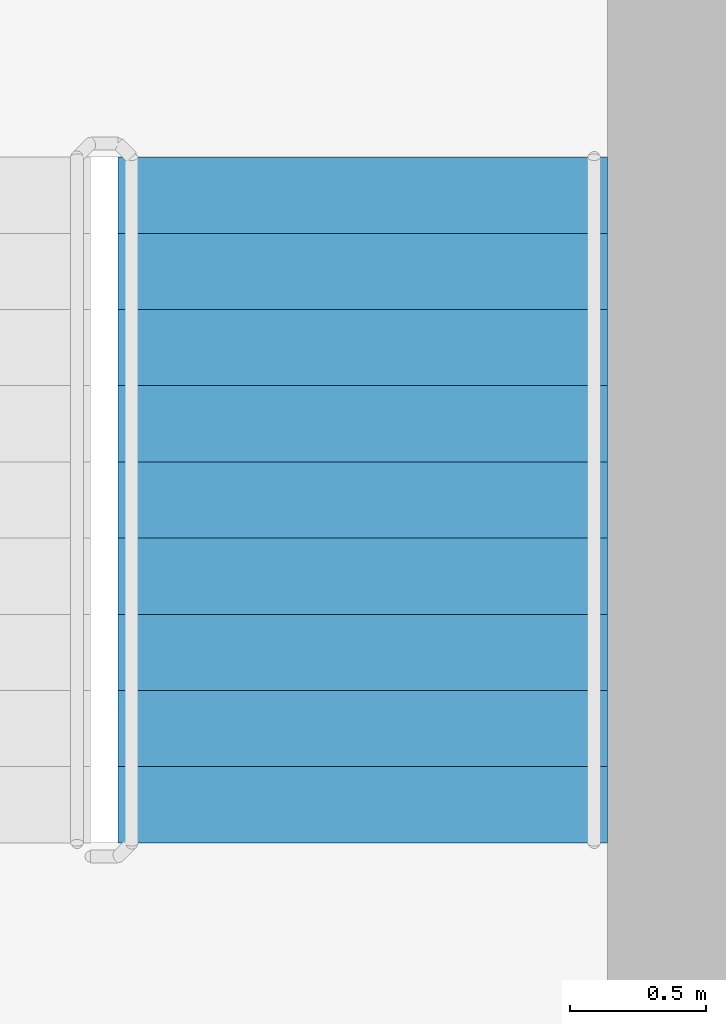
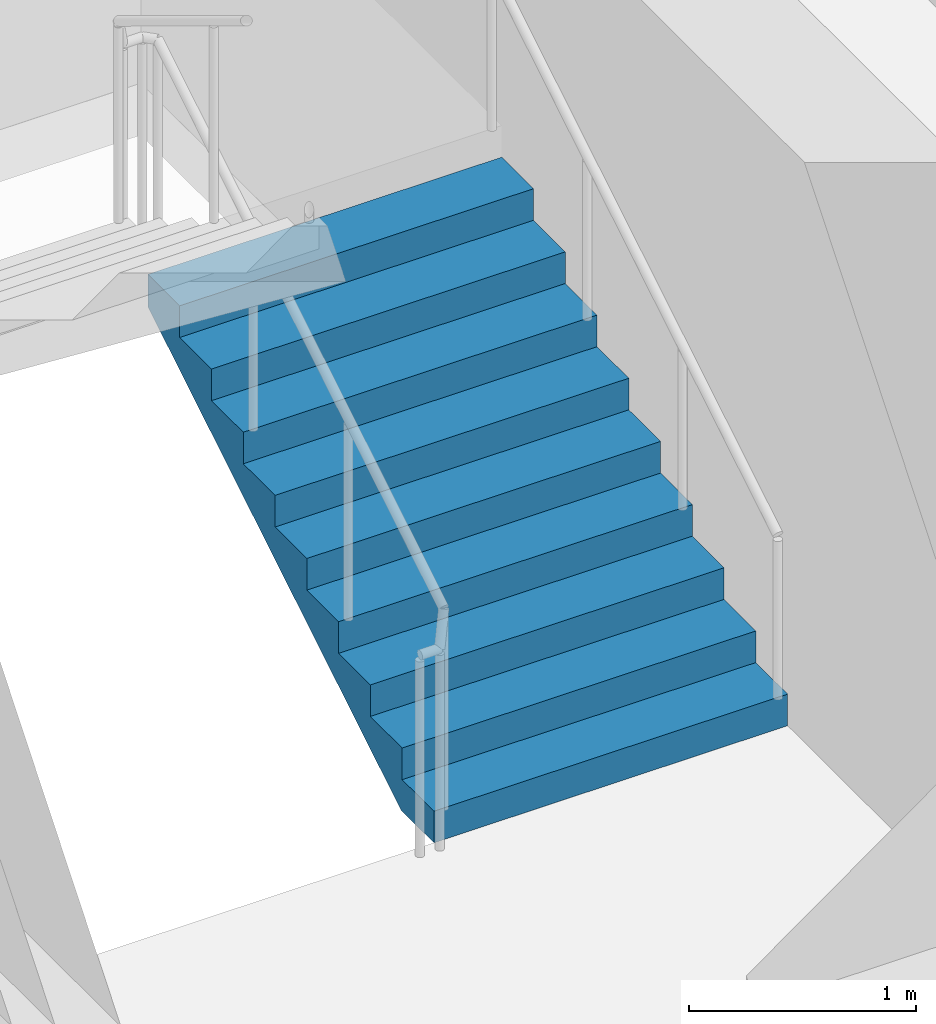
# One storey, part 11 of 18: 1 stair flight, 1 element without a shape of its own.
"""IFC4 building model written with IfcOpenShell, lengths in metres."""

from ifc_helpers import new_model, si_unit, direction, frame, origin, place, context, subcontext, project, spatial, triangles, source, transform, mapped, material, type_object, element, aggregate, save


model = new_model("IFC4")

# Units and contexts
model_context = context("Model", 3, precision=1e-05, world=origin(), true_north=direction((0.0, 1.0)))
body_context = subcontext(model_context, "Body", "Model", "MODEL_VIEW")
ifc_project = project(units=[si_unit("LENGTHUNIT", "METRE"), si_unit("AREAUNIT", "SQUARE_METRE"), si_unit("VOLUMEUNIT", "CUBIC_METRE"), si_unit("PLANEANGLEUNIT", "RADIAN"), si_unit("MASSUNIT", "GRAM", prefix="KILO")], contexts=[model_context])

# Site, building, storey
site_placement = place(None, origin())
site = spatial("IfcSite", under=ifc_project, at=site_placement, CompositionType="ELEMENT")
building_placement = place(site_placement, origin())
building = spatial("IfcBuilding", under=site, at=building_placement, Name="Kilnfold Tower and Market Hall", CompositionType="ELEMENT")
storey_placement = place(building_placement, frame((0.0, 0.0, 280.60009765625)))
storey = spatial("IfcBuildingStorey", under=building, at=storey_placement, Name="L69", CompositionType="ELEMENT", Elevation=280.60009765625)

# Stair, stair flight
ifc_material_1 = material(Name="Concrete C40/50", Category="concrete")
stair_type = type_object("IfcStairType", Name="CORE STAIR 1800", PredefinedType="HALF_TURN_STAIR", material=ifc_material_1)
stair_placement = place(storey_placement, origin())
stair = element("IfcStair", 1, at=stair_placement, inside=storey, type_object=stair_type, Name="L69 ST2", PredefinedType="HALF_TURN_STAIR")
ifc_material_2 = material(Name="Concrete C40/50", Category="concrete")
stair_flight_type = type_object("IfcStairFlightType", Name="CORE STAIR FLIGHT 1800", PredefinedType="STRAIGHT", material=ifc_material_2)
shared_shape = source(origin(), body_context, "Body", "Tessellation", [
    triangles([(0.0, 0.89990234375, 0.0), (0.0, 0.78759765625, 0.0), (0.0, 0.675048828125, 0.0), (0.0, 0.5625, 0.0), (0.0, 0.449951171875, 0.0), (0.0, 0.33740234375, 0.0), (0.0, 0.22509765625, 0.0), (0.0, 0.112548828125, 0.0), (0.0, 0.0, 0.0), (0.0, -0.112548828125, 0.0), (0.0, -0.22509765625, 0.0), (0.0, -0.33740234375, 0.0), (0.0, -0.449951171875, 0.0), (0.0, -0.5625, 0.0), (0.0, -0.675048828125, 0.0), (0.0, -0.78759765625, 0.0), (0.0, -0.89990234375, 0.0), (0.0, 0.89990234375, 0.169921875), (0.0, 0.78759765625, 0.169921875), (0.0, 0.675048828125, 0.169921875), (0.0, 0.5625, 0.169921875), (0.0, 0.449951171875, 0.169921875), (0.0, 0.33740234375, 0.169921875), (0.0, 0.22509765625, 0.169921875), (0.0, 0.112548828125, 0.169921875), (0.0, 0.0, 0.169921875), (0.0, -0.112548828125, 0.169921875), (0.0, -0.22509765625, 0.169921875), (0.0, -0.33740234375, 0.169921875), (0.0, -0.449951171875, 0.169921875), (0.0, -0.5625, 0.169921875), (0.0, -0.675048828125, 0.169921875), (0.0, -0.78759765625, 0.169921875), (0.0, -0.89990234375, 0.169921875), (0.280029296875, 0.89990234375, 0.169921875), (0.280029296875, 0.78759765625, 0.169921875), (0.280029296875, 0.675048828125, 0.169921875), (0.280029296875, 0.5625, 0.169921875), (0.280029296875, 0.449951171875, 0.169921875), (0.280029296875, 0.33740234375, 0.169921875), (0.280029296875, 0.22509765625, 0.169921875), (0.280029296875, 0.112548828125, 0.169921875), (0.280029296875, 0.0, 0.169921875), (0.280029296875, -0.112548828125, 0.169921875), (0.280029296875, -0.22509765625, 0.169921875), (0.280029296875, -0.33740234375, 0.169921875), (0.280029296875, -0.449951171875, 0.169921875), (0.280029296875, -0.5625, 0.169921875), (0.280029296875, -0.675048828125, 0.169921875), (0.280029296875, -0.78759765625, 0.169921875), (0.280029296875, -0.89990234375, 0.169921875), (0.280029296875, 0.89990234375, 0.340087890625), (0.280029296875, 0.78759765625, 0.340087890625), (0.280029296875, 0.675048828125, 0.340087890625), (0.280029296875, 0.5625, 0.340087890625), (0.280029296875, 0.449951171875, 0.340087890625), (0.280029296875, 0.33740234375, 0.340087890625), (0.280029296875, 0.22509765625, 0.340087890625), (0.280029296875, 0.112548828125, 0.340087890625), (0.280029296875, 0.0, 0.340087890625), (0.280029296875, -0.112548828125, 0.340087890625), (0.280029296875, -0.22509765625, 0.340087890625), (0.280029296875, -0.33740234375, 0.340087890625), (0.280029296875, -0.449951171875, 0.340087890625), (0.280029296875, -0.5625, 0.340087890625), (0.280029296875, -0.675048828125, 0.340087890625), (0.280029296875, -0.78759765625, 0.340087890625), (0.280029296875, -0.89990234375, 0.340087890625), (0.56005859375, 0.89990234375, 0.340087890625), (0.56005859375, 0.78759765625, 0.340087890625), (0.56005859375, 0.675048828125, 0.340087890625), (0.56005859375, 0.5625, 0.340087890625), (0.56005859375, 0.449951171875, 0.340087890625), (0.56005859375, 0.33740234375, 0.340087890625), (0.56005859375, 0.22509765625, 0.340087890625), (0.56005859375, 0.112548828125, 0.340087890625), (0.56005859375, 0.0, 0.340087890625), (0.56005859375, -0.112548828125, 0.340087890625), (0.56005859375, -0.22509765625, 0.340087890625), (0.56005859375, -0.33740234375, 0.340087890625), (0.56005859375, -0.449951171875, 0.340087890625), (0.56005859375, -0.5625, 0.340087890625), (0.56005859375, -0.675048828125, 0.340087890625), (0.56005859375, -0.78759765625, 0.340087890625), (0.56005859375, -0.89990234375, 0.340087890625), (0.56005859375, 0.89990234375, 0.510009765625), (0.56005859375, 0.78759765625, 0.510009765625), (0.56005859375, 0.675048828125, 0.510009765625), (0.56005859375, 0.5625, 0.510009765625), (0.56005859375, 0.449951171875, 0.510009765625), (0.56005859375, 0.33740234375, 0.510009765625), (0.56005859375, 0.22509765625, 0.510009765625), (0.56005859375, 0.112548828125, 0.510009765625), (0.56005859375, 0.0, 0.510009765625), (0.56005859375, -0.112548828125, 0.510009765625), (0.56005859375, -0.22509765625, 0.510009765625), (0.56005859375, -0.33740234375, 0.510009765625), (0.56005859375, -0.449951171875, 0.510009765625), (0.56005859375, -0.5625, 0.510009765625), (0.56005859375, -0.675048828125, 0.510009765625), (0.56005859375, -0.78759765625, 0.510009765625), (0.56005859375, -0.89990234375, 0.510009765625), (0.840087890625, 0.89990234375, 0.510009765625), (0.840087890625, 0.78759765625, 0.510009765625), (0.840087890625, 0.675048828125, 0.510009765625), (0.840087890625, 0.5625, 0.510009765625), (0.840087890625, 0.449951171875, 0.510009765625), (0.840087890625, 0.33740234375, 0.510009765625), (0.840087890625, 0.22509765625, 0.510009765625), (0.840087890625, 0.112548828125, 0.510009765625), (0.840087890625, 0.0, 0.510009765625), (0.840087890625, -0.112548828125, 0.510009765625), (0.840087890625, -0.22509765625, 0.510009765625), (0.840087890625, -0.33740234375, 0.510009765625), (0.840087890625, -0.449951171875, 0.510009765625), (0.840087890625, -0.5625, 0.510009765625), (0.840087890625, -0.675048828125, 0.510009765625), (0.840087890625, -0.78759765625, 0.510009765625), (0.840087890625, -0.89990234375, 0.510009765625), (0.840087890625, 0.89990234375, 0.679931640625), (0.840087890625, 0.78759765625, 0.679931640625), (0.840087890625, 0.675048828125, 0.679931640625), (0.840087890625, 0.5625, 0.679931640625), (0.840087890625, 0.449951171875, 0.679931640625), (0.840087890625, 0.33740234375, 0.679931640625), (0.840087890625, 0.22509765625, 0.679931640625), (0.840087890625, 0.112548828125, 0.679931640625), (0.840087890625, 0.0, 0.679931640625), (0.840087890625, -0.112548828125, 0.679931640625), (0.840087890625, -0.22509765625, 0.679931640625), (0.840087890625, -0.33740234375, 0.679931640625), (0.840087890625, -0.449951171875, 0.679931640625), (0.840087890625, -0.5625, 0.679931640625), (0.840087890625, -0.675048828125, 0.679931640625), (0.840087890625, -0.78759765625, 0.679931640625), (0.840087890625, -0.89990234375, 0.679931640625), (1.1201171875, 0.89990234375, 0.679931640625), (1.1201171875, 0.78759765625, 0.679931640625), (1.1201171875, 0.675048828125, 0.679931640625), (1.1201171875, 0.5625, 0.679931640625), (1.1201171875, 0.449951171875, 0.679931640625), (1.1201171875, 0.33740234375, 0.679931640625), (1.1201171875, 0.22509765625, 0.679931640625), (1.1201171875, 0.112548828125, 0.679931640625), (1.1201171875, 0.0, 0.679931640625), (1.1201171875, -0.112548828125, 0.679931640625), (1.1201171875, -0.22509765625, 0.679931640625), (1.1201171875, -0.33740234375, 0.679931640625), (1.1201171875, -0.449951171875, 0.679931640625), (1.1201171875, -0.5625, 0.679931640625), (1.1201171875, -0.675048828125, 0.679931640625), (1.1201171875, -0.78759765625, 0.679931640625), (1.1201171875, -0.89990234375, 0.679931640625), (1.1201171875, 0.89990234375, 0.85009765625), (1.1201171875, 0.78759765625, 0.85009765625), (1.1201171875, 0.675048828125, 0.85009765625), (1.1201171875, 0.5625, 0.85009765625), (1.1201171875, 0.449951171875, 0.85009765625), (1.1201171875, 0.33740234375, 0.85009765625), (1.1201171875, 0.22509765625, 0.85009765625), (1.1201171875, 0.112548828125, 0.85009765625), (1.1201171875, 0.0, 0.85009765625), (1.1201171875, -0.112548828125, 0.85009765625), (1.1201171875, -0.22509765625, 0.85009765625), (1.1201171875, -0.33740234375, 0.85009765625), (1.1201171875, -0.449951171875, 0.85009765625), (1.1201171875, -0.5625, 0.85009765625), (1.1201171875, -0.675048828125, 0.85009765625), (1.1201171875, -0.78759765625, 0.85009765625), (1.1201171875, -0.89990234375, 0.85009765625), (1.39990234375, 0.89990234375, 0.85009765625), (1.39990234375, 0.78759765625, 0.85009765625), (1.39990234375, 0.675048828125, 0.85009765625), (1.39990234375, 0.5625, 0.85009765625), (1.39990234375, 0.449951171875, 0.85009765625), (1.39990234375, 0.33740234375, 0.85009765625), (1.39990234375, 0.22509765625, 0.85009765625), (1.39990234375, 0.112548828125, 0.85009765625), (1.39990234375, 0.0, 0.85009765625), (1.39990234375, -0.112548828125, 0.85009765625), (1.39990234375, -0.22509765625, 0.85009765625), (1.39990234375, -0.33740234375, 0.85009765625), (1.39990234375, -0.449951171875, 0.85009765625), (1.39990234375, -0.5625, 0.85009765625), (1.39990234375, -0.675048828125, 0.85009765625), (1.39990234375, -0.78759765625, 0.85009765625), (1.39990234375, -0.89990234375, 0.85009765625), (1.39990234375, 0.89990234375, 1.02001953125), (1.39990234375, 0.78759765625, 1.02001953125), (1.39990234375, 0.675048828125, 1.02001953125), (1.39990234375, 0.5625, 1.02001953125), (1.39990234375, 0.449951171875, 1.02001953125), (1.39990234375, 0.33740234375, 1.02001953125), (1.39990234375, 0.22509765625, 1.02001953125), (1.39990234375, 0.112548828125, 1.02001953125), (1.39990234375, 0.0, 1.02001953125), (1.39990234375, -0.112548828125, 1.02001953125), (1.39990234375, -0.22509765625, 1.02001953125), (1.39990234375, -0.33740234375, 1.02001953125), (1.39990234375, -0.449951171875, 1.02001953125), (1.39990234375, -0.5625, 1.02001953125), (1.39990234375, -0.675048828125, 1.02001953125), (1.39990234375, -0.78759765625, 1.02001953125), (1.39990234375, -0.89990234375, 1.02001953125), (1.679931640625, 0.89990234375, 1.02001953125), (1.679931640625, 0.78759765625, 1.02001953125), (1.679931640625, 0.675048828125, 1.02001953125), (1.679931640625, 0.5625, 1.02001953125), (1.679931640625, 0.449951171875, 1.02001953125), (1.679931640625, 0.33740234375, 1.02001953125), (1.679931640625, 0.22509765625, 1.02001953125), (1.679931640625, 0.112548828125, 1.02001953125), (1.679931640625, 0.0, 1.02001953125), (1.679931640625, -0.112548828125, 1.02001953125), (1.679931640625, -0.22509765625, 1.02001953125), (1.679931640625, -0.33740234375, 1.02001953125), (1.679931640625, -0.449951171875, 1.02001953125), (1.679931640625, -0.5625, 1.02001953125), (1.679931640625, -0.675048828125, 1.02001953125), (1.679931640625, -0.78759765625, 1.02001953125), (1.679931640625, -0.89990234375, 1.02001953125), (1.679931640625, 0.89990234375, 1.18994140625), (1.679931640625, 0.78759765625, 1.18994140625), (1.679931640625, 0.675048828125, 1.18994140625), (1.679931640625, 0.5625, 1.18994140625), (1.679931640625, 0.449951171875, 1.18994140625), (1.679931640625, 0.33740234375, 1.18994140625), (1.679931640625, 0.22509765625, 1.18994140625), (1.679931640625, 0.112548828125, 1.18994140625), (1.679931640625, 0.0, 1.18994140625), (1.679931640625, -0.112548828125, 1.18994140625), (1.679931640625, -0.22509765625, 1.18994140625), (1.679931640625, -0.33740234375, 1.18994140625), (1.679931640625, -0.449951171875, 1.18994140625), (1.679931640625, -0.5625, 1.18994140625), (1.679931640625, -0.675048828125, 1.18994140625), (1.679931640625, -0.78759765625, 1.18994140625), (1.679931640625, -0.89990234375, 1.18994140625), (1.9599609375, 0.89990234375, 1.18994140625), (1.9599609375, 0.78759765625, 1.18994140625), (1.9599609375, 0.675048828125, 1.18994140625), (1.9599609375, 0.5625, 1.18994140625), (1.9599609375, 0.449951171875, 1.18994140625), (1.9599609375, 0.33740234375, 1.18994140625), (1.9599609375, 0.22509765625, 1.18994140625), (1.9599609375, 0.112548828125, 1.18994140625), (1.9599609375, 0.0, 1.18994140625), (1.9599609375, -0.112548828125, 1.18994140625), (1.9599609375, -0.22509765625, 1.18994140625), (1.9599609375, -0.33740234375, 1.18994140625), (1.9599609375, -0.449951171875, 1.18994140625), (1.9599609375, -0.5625, 1.18994140625), (1.9599609375, -0.675048828125, 1.18994140625), (1.9599609375, -0.78759765625, 1.18994140625), (1.9599609375, -0.89990234375, 1.18994140625), (1.9599609375, 0.89990234375, 1.360107421875), (1.9599609375, 0.78759765625, 1.360107421875), (1.9599609375, 0.675048828125, 1.360107421875), (1.9599609375, 0.5625, 1.360107421875), (1.9599609375, 0.449951171875, 1.360107421875), (1.9599609375, 0.33740234375, 1.360107421875), (1.9599609375, 0.22509765625, 1.360107421875), (1.9599609375, 0.112548828125, 1.360107421875), (1.9599609375, 0.0, 1.360107421875), (1.9599609375, -0.112548828125, 1.360107421875), (1.9599609375, -0.22509765625, 1.360107421875), (1.9599609375, -0.33740234375, 1.360107421875), (1.9599609375, -0.449951171875, 1.360107421875), (1.9599609375, -0.5625, 1.360107421875), (1.9599609375, -0.675048828125, 1.360107421875), (1.9599609375, -0.78759765625, 1.360107421875), (1.9599609375, -0.89990234375, 1.360107421875), (2.239990234375, 0.89990234375, 1.360107421875), (2.239990234375, 0.78759765625, 1.360107421875), (2.239990234375, 0.675048828125, 1.360107421875), (2.239990234375, 0.5625, 1.360107421875), (2.239990234375, 0.449951171875, 1.360107421875), (2.239990234375, 0.33740234375, 1.360107421875), (2.239990234375, 0.22509765625, 1.360107421875), (2.239990234375, 0.112548828125, 1.360107421875), (2.239990234375, 0.0, 1.360107421875), (2.239990234375, -0.112548828125, 1.360107421875), (2.239990234375, -0.22509765625, 1.360107421875), (2.239990234375, -0.33740234375, 1.360107421875), (2.239990234375, -0.449951171875, 1.360107421875), (2.239990234375, -0.5625, 1.360107421875), (2.239990234375, -0.675048828125, 1.360107421875), (2.239990234375, -0.78759765625, 1.360107421875), (2.239990234375, -0.89990234375, 1.360107421875), (2.239990234375, 0.89990234375, 1.530029296875), (2.239990234375, 0.78759765625, 1.530029296875), (2.239990234375, 0.675048828125, 1.530029296875), (2.239990234375, 0.5625, 1.530029296875), (2.239990234375, 0.449951171875, 1.530029296875), (2.239990234375, 0.33740234375, 1.530029296875), (2.239990234375, 0.22509765625, 1.530029296875), (2.239990234375, 0.112548828125, 1.530029296875), (2.239990234375, 0.0, 1.530029296875), (2.239990234375, -0.112548828125, 1.530029296875), (2.239990234375, -0.22509765625, 1.530029296875), (2.239990234375, -0.33740234375, 1.530029296875), (2.239990234375, -0.449951171875, 1.530029296875), (2.239990234375, -0.5625, 1.530029296875), (2.239990234375, -0.675048828125, 1.530029296875), (2.239990234375, -0.78759765625, 1.530029296875), (2.239990234375, -0.89990234375, 1.530029296875), (2.52001953125, 0.89990234375, 1.530029296875), (2.52001953125, 0.78759765625, 1.530029296875), (2.52001953125, 0.675048828125, 1.530029296875), (2.52001953125, 0.5625, 1.530029296875), (2.52001953125, 0.449951171875, 1.530029296875), (2.52001953125, 0.33740234375, 1.530029296875), (2.52001953125, 0.22509765625, 1.530029296875), (2.52001953125, 0.112548828125, 1.530029296875), (2.52001953125, 0.0, 1.530029296875), (2.52001953125, -0.112548828125, 1.530029296875), (2.52001953125, -0.22509765625, 1.530029296875), (2.52001953125, -0.33740234375, 1.530029296875), (2.52001953125, -0.449951171875, 1.530029296875), (2.52001953125, -0.5625, 1.530029296875), (2.52001953125, -0.675048828125, 1.530029296875), (2.52001953125, -0.78759765625, 1.530029296875), (2.52001953125, -0.89990234375, 1.530029296875), (2.52001953125, 0.89990234375, 1.354736328125), (2.52001953125, 0.78759765625, 1.354736328125), (2.52001953125, 0.675048828125, 1.354736328125), (2.52001953125, 0.5625, 1.354736328125), (2.52001953125, 0.449951171875, 1.354736328125), (2.52001953125, 0.33740234375, 1.354736328125), (2.52001953125, 0.22509765625, 1.354736328125), (2.52001953125, 0.112548828125, 1.354736328125), (2.52001953125, 0.0, 1.354736328125), (2.52001953125, -0.112548828125, 1.354736328125), (2.52001953125, -0.22509765625, 1.354736328125), (2.52001953125, -0.33740234375, 1.354736328125), (2.52001953125, -0.449951171875, 1.354736328125), (2.52001953125, -0.5625, 1.354736328125), (2.52001953125, -0.675048828125, 1.354736328125), (2.52001953125, -0.78759765625, 1.354736328125), (2.52001953125, -0.89990234375, 1.354736328125), (0.288818359375, 0.89990234375, 0.0), (0.288818359375, 0.78759765625, 0.0), (0.288818359375, 0.675048828125, 0.0), (0.288818359375, 0.5625, 0.0), (0.288818359375, 0.449951171875, 0.0), (0.288818359375, 0.33740234375, 0.0), (0.288818359375, 0.22509765625, 0.0), (0.288818359375, 0.112548828125, 0.0), (0.288818359375, 0.0, 0.0), (0.288818359375, -0.112548828125, 0.0), (0.288818359375, -0.22509765625, 0.0), (0.288818359375, -0.33740234375, 0.0), (0.288818359375, -0.449951171875, 0.0), (0.288818359375, -0.5625, 0.0), (0.288818359375, -0.675048828125, 0.0), (0.288818359375, -0.78759765625, 0.0), (0.288818359375, -0.89990234375, 0.0)], [[1, 324, 341], [17, 357, 340], [324, 290, 307], [340, 323, 306], [324, 273, 290], [340, 306, 289], [324, 256, 273], [340, 289, 272], [324, 239, 256], [340, 272, 255], [239, 205, 222], [255, 238, 221], [324, 205, 239], [340, 255, 221], [205, 171, 188], [221, 204, 187], [324, 171, 205], [340, 221, 187], [171, 137, 154], [187, 170, 153], [324, 137, 171], [340, 187, 153], [137, 103, 120], [153, 136, 119], [324, 103, 137], [340, 153, 119], [103, 69, 86], [119, 102, 85], [324, 69, 103], [340, 119, 85], [69, 35, 52], [85, 68, 51], [324, 35, 69], [340, 85, 51], [1, 35, 324], [17, 340, 51], [35, 1, 18], [51, 34, 17], [1, 19, 18], [1, 2, 19], [2, 20, 19], [2, 3, 20], [3, 21, 20], [3, 4, 21], [4, 22, 21], [4, 5, 22], [5, 23, 22], [5, 6, 23], [6, 24, 23], [6, 7, 24], [7, 25, 24], [7, 8, 25], [8, 26, 25], [8, 9, 26], [9, 27, 26], [9, 10, 27], [10, 28, 27], [10, 11, 28], [11, 29, 28], [11, 12, 29], [12, 30, 29], [12, 13, 30], [13, 31, 30], [13, 14, 31], [14, 32, 31], [14, 15, 32], [15, 33, 32], [15, 16, 33], [16, 34, 33], [16, 17, 34], [18, 36, 35], [18, 19, 36], [19, 37, 36], [19, 20, 37], [20, 38, 37], [20, 21, 38], [21, 39, 38], [21, 22, 39], [22, 40, 39], [22, 23, 40], [23, 41, 40], [23, 24, 41], [24, 42, 41], [24, 25, 42], [25, 43, 42], [25, 26, 43], [26, 44, 43], [26, 27, 44], [27, 45, 44], [27, 28, 45], [28, 46, 45], [28, 29, 46], [29, 47, 46], [29, 30, 47], [30, 48, 47], [30, 31, 48], [31, 49, 48], [31, 32, 49], [32, 50, 49], [32, 33, 50], [33, 51, 50], [33, 34, 51], [35, 53, 52], [35, 36, 53], [36, 54, 53], [36, 37, 54], [37, 55, 54], [37, 38, 55], [38, 56, 55], [38, 39, 56], [39, 57, 56], [39, 40, 57], [40, 58, 57], [40, 41, 58], [41, 59, 58], [41, 42, 59], [42, 60, 59], [42, 43, 60], [43, 61, 60], [43, 44, 61], [44, 62, 61], [44, 45, 62], [45, 63, 62], [45, 46, 63], [46, 64, 63], [46, 47, 64], [47, 65, 64], [47, 48, 65], [48, 66, 65], [48, 49, 66], [49, 67, 66], [49, 50, 67], [50, 68, 67], [50, 51, 68], [52, 70, 69], [52, 53, 70], [53, 71, 70], [53, 54, 71], [54, 72, 71], [54, 55, 72], [55, 73, 72], [55, 56, 73], [56, 74, 73], [56, 57, 74], [57, 75, 74], [57, 58, 75], [58, 76, 75], [58, 59, 76], [59, 77, 76], [59, 60, 77], [60, 78, 77], [60, 61, 78], [61, 79, 78], [61, 62, 79], [62, 80, 79], [62, 63, 80], [63, 81, 80], [63, 64, 81], [64, 82, 81], [64, 65, 82], [65, 83, 82], [65, 66, 83], [66, 84, 83], [66, 67, 84], [67, 85, 84], [67, 68, 85], [69, 87, 86], [69, 70, 87], [70, 88, 87], [70, 71, 88], [71, 89, 88], [71, 72, 89], [72, 90, 89], [72, 73, 90], [73, 91, 90], [73, 74, 91], [74, 92, 91], [74, 75, 92], [75, 93, 92], [75, 76, 93], [76, 94, 93], [76, 77, 94], [77, 95, 94], [77, 78, 95], [78, 96, 95], [78, 79, 96], [79, 97, 96], [79, 80, 97], [80, 98, 97], [80, 81, 98], [81, 99, 98], [81, 82, 99], [82, 100, 99], [82, 83, 100], [83, 101, 100], [83, 84, 101], [84, 102, 101], [84, 85, 102], [86, 104, 103], [86, 87, 104], [87, 105, 104], [87, 88, 105], [88, 106, 105], [88, 89, 106], [89, 107, 106], [89, 90, 107], [90, 108, 107], [90, 91, 108], [91, 109, 108], [91, 92, 109], [92, 110, 109], [92, 93, 110], [93, 111, 110], [93, 94, 111], [94, 112, 111], [94, 95, 112], [95, 113, 112], [95, 96, 113], [96, 114, 113], [96, 97, 114], [97, 115, 114], [97, 98, 115], [98, 116, 115], [98, 99, 116], [99, 117, 116], [99, 100, 117], [100, 118, 117], [100, 101, 118], [101, 119, 118], [101, 102, 119], [103, 121, 120], [103, 104, 121], [104, 122, 121], [104, 105, 122], [105, 123, 122], [105, 106, 123], [106, 124, 123], [106, 107, 124], [107, 125, 124], [107, 108, 125], [108, 126, 125], [108, 109, 126], [109, 127, 126], [109, 110, 127], [110, 128, 127], [110, 111, 128], [111, 129, 128], [111, 112, 129], [112, 130, 129], [112, 113, 130], [113, 131, 130], [113, 114, 131], [114, 132, 131], [114, 115, 132], [115, 133, 132], [115, 116, 133], [116, 134, 133], [116, 117, 134], [117, 135, 134], [117, 118, 135], [118, 136, 135], [118, 119, 136], [120, 138, 137], [120, 121, 138], [121, 139, 138], [121, 122, 139], [122, 140, 139], [122, 123, 140], [123, 141, 140], [123, 124, 141], [124, 142, 141], [124, 125, 142], [125, 143, 142], [125, 126, 143], [126, 144, 143], [126, 127, 144], [127, 145, 144], [127, 128, 145], [128, 146, 145], [128, 129, 146], [129, 147, 146], [129, 130, 147], [130, 148, 147], [130, 131, 148], [131, 149, 148], [131, 132, 149], [132, 150, 149], [132, 133, 150], [133, 151, 150], [133, 134, 151], [134, 152, 151], [134, 135, 152], [135, 153, 152], [135, 136, 153], [137, 155, 154], [137, 138, 155], [138, 156, 155], [138, 139, 156], [139, 157, 156], [139, 140, 157], [140, 158, 157], [140, 141, 158], [141, 159, 158], [141, 142, 159], [142, 160, 159], [142, 143, 160], [143, 161, 160], [143, 144, 161], [144, 162, 161], [144, 145, 162], [145, 163, 162], [145, 146, 163], [146, 164, 163], [146, 147, 164], [147, 165, 164], [147, 148, 165], [148, 166, 165], [148, 149, 166], [149, 167, 166], [149, 150, 167], [150, 168, 167], [150, 151, 168], [151, 169, 168], [151, 152, 169], [152, 170, 169], [152, 153, 170], [154, 172, 171], [154, 155, 172], [155, 173, 172], [155, 156, 173], [156, 174, 173], [156, 157, 174], [157, 175, 174], [157, 158, 175], [158, 176, 175], [158, 159, 176], [159, 177, 176], [159, 160, 177], [160, 178, 177], [160, 161, 178], [161, 179, 178], [161, 162, 179], [162, 180, 179], [162, 163, 180], [163, 181, 180], [163, 164, 181], [164, 182, 181], [164, 165, 182], [165, 183, 182], [165, 166, 183], [166, 184, 183], [166, 167, 184], [167, 185, 184], [167, 168, 185], [168, 186, 185], [168, 169, 186], [169, 187, 186], [169, 170, 187], [171, 189, 188], [171, 172, 189], [172, 190, 189], [172, 173, 190], [173, 191, 190], [173, 174, 191], [174, 192, 191], [174, 175, 192], [175, 193, 192], [175, 176, 193], [176, 194, 193], [176, 177, 194], [177, 195, 194], [177, 178, 195], [178, 196, 195], [178, 179, 196], [179, 197, 196], [179, 180, 197], [180, 198, 197], [180, 181, 198], [181, 199, 198], [181, 182, 199], [182, 200, 199], [182, 183, 200], [183, 201, 200], [183, 184, 201], [184, 202, 201], [184, 185, 202], [185, 203, 202], [185, 186, 203], [186, 204, 203], [186, 187, 204], [188, 206, 205], [188, 189, 206], [189, 207, 206], [189, 190, 207], [190, 208, 207], [190, 191, 208], [191, 209, 208], [191, 192, 209], [192, 210, 209], [192, 193, 210], [193, 211, 210], [193, 194, 211], [194, 212, 211], [194, 195, 212], [195, 213, 212], [195, 196, 213], [196, 214, 213], [196, 197, 214], [197, 215, 214], [197, 198, 215], [198, 216, 215], [198, 199, 216], [199, 217, 216], [199, 200, 217], [200, 218, 217], [200, 201, 218], [201, 219, 218], [201, 202, 219], [202, 220, 219], [202, 203, 220], [203, 221, 220], [203, 204, 221], [205, 223, 222], [205, 206, 223], [206, 224, 223], [206, 207, 224], [207, 225, 224], [207, 208, 225], [208, 226, 225], [208, 209, 226], [209, 227, 226], [209, 210, 227], [210, 228, 227], [210, 211, 228], [211, 229, 228], [211, 212, 229], [212, 230, 229], [212, 213, 230], [213, 231, 230], [213, 214, 231], [214, 232, 231], [214, 215, 232], [215, 233, 232], [215, 216, 233], [216, 234, 233], [216, 217, 234], [217, 235, 234], [217, 218, 235], [218, 236, 235], [218, 219, 236], [219, 237, 236], [219, 220, 237], [220, 238, 237], [220, 221, 238], [222, 240, 239], [222, 223, 240], [223, 241, 240], [223, 224, 241], [224, 242, 241], [224, 225, 242], [225, 243, 242], [225, 226, 243], [226, 244, 243], [226, 227, 244], [227, 245, 244], [227, 228, 245], [228, 246, 245], [228, 229, 246], [229, 247, 246], [229, 230, 247], [230, 248, 247], [230, 231, 248], [231, 249, 248], [231, 232, 249], [232, 250, 249], [232, 233, 250], [233, 251, 250], [233, 234, 251], [234, 252, 251], [234, 235, 252], [235, 253, 252], [235, 236, 253], [236, 254, 253], [236, 237, 254], [237, 255, 254], [237, 238, 255], [239, 257, 256], [239, 240, 257], [240, 258, 257], [240, 241, 258], [241, 259, 258], [241, 242, 259], [242, 260, 259], [242, 243, 260], [243, 261, 260], [243, 244, 261], [244, 262, 261], [244, 245, 262], [245, 263, 262], [245, 246, 263], [246, 264, 263], [246, 247, 264], [247, 265, 264], [247, 248, 265], [248, 266, 265], [248, 249, 266], [249, 267, 266], [249, 250, 267], [250, 268, 267], [250, 251, 268], [251, 269, 268], [251, 252, 269], [252, 270, 269], [252, 253, 270], [253, 271, 270], [253, 254, 271], [254, 272, 271], [254, 255, 272], [256, 274, 273], [256, 257, 274], [257, 275, 274], [257, 258, 275], [258, 276, 275], [258, 259, 276], [259, 277, 276], [259, 260, 277], [260, 278, 277], [260, 261, 278], [261, 279, 278], [261, 262, 279], [262, 280, 279], [262, 263, 280], [263, 281, 280], [263, 264, 281], [264, 282, 281], [264, 265, 282], [265, 283, 282], [265, 266, 283], [266, 284, 283], [266, 267, 284], [267, 285, 284], [267, 268, 285], [268, 286, 285], [268, 269, 286], [269, 287, 286], [269, 270, 287], [270, 288, 287], [270, 271, 288], [271, 289, 288], [271, 272, 289], [273, 291, 290], [273, 274, 291], [274, 292, 291], [274, 275, 292], [275, 293, 292], [275, 276, 293], [276, 294, 293], [276, 277, 294], [277, 295, 294], [277, 278, 295], [278, 296, 295], [278, 279, 296], [279, 297, 296], [279, 280, 297], [280, 298, 297], [280, 281, 298], [281, 299, 298], [281, 282, 299], [282, 300, 299], [282, 283, 300], [283, 301, 300], [283, 284, 301], [284, 302, 301], [284, 285, 302], [285, 303, 302], [285, 286, 303], [286, 304, 303], [286, 287, 304], [287, 305, 304], [287, 288, 305], [288, 306, 305], [288, 289, 306], [290, 308, 307], [290, 291, 308], [291, 309, 308], [291, 292, 309], [292, 310, 309], [292, 293, 310], [293, 311, 310], [293, 294, 311], [294, 312, 311], [294, 295, 312], [295, 313, 312], [295, 296, 313], [296, 314, 313], [296, 297, 314], [297, 315, 314], [297, 298, 315], [298, 316, 315], [298, 299, 316], [299, 317, 316], [299, 300, 317], [300, 318, 317], [300, 301, 318], [301, 319, 318], [301, 302, 319], [302, 320, 319], [302, 303, 320], [303, 321, 320], [303, 304, 321], [304, 322, 321], [304, 305, 322], [305, 323, 322], [305, 306, 323], [307, 325, 324], [307, 308, 325], [308, 326, 325], [308, 309, 326], [309, 327, 326], [309, 310, 327], [310, 328, 327], [310, 311, 328], [311, 329, 328], [311, 312, 329], [312, 330, 329], [312, 313, 330], [313, 331, 330], [313, 314, 331], [314, 332, 331], [314, 315, 332], [315, 333, 332], [315, 316, 333], [316, 334, 333], [316, 317, 334], [317, 335, 334], [317, 318, 335], [318, 336, 335], [318, 319, 336], [319, 337, 336], [319, 320, 337], [320, 338, 337], [320, 321, 338], [321, 339, 338], [321, 322, 339], [322, 340, 339], [322, 323, 340], [324, 342, 341], [324, 325, 342], [325, 343, 342], [325, 326, 343], [326, 344, 343], [326, 327, 344], [327, 345, 344], [327, 328, 345], [328, 346, 345], [328, 329, 346], [329, 347, 346], [329, 330, 347], [330, 348, 347], [330, 331, 348], [331, 349, 348], [331, 332, 349], [332, 350, 349], [332, 333, 350], [333, 351, 350], [333, 334, 351], [334, 352, 351], [334, 335, 352], [335, 353, 352], [335, 336, 353], [336, 354, 353], [336, 337, 354], [337, 355, 354], [337, 338, 355], [338, 356, 355], [338, 339, 356], [339, 357, 356], [339, 340, 357], [341, 2, 1], [341, 342, 2], [342, 3, 2], [342, 343, 3], [343, 4, 3], [343, 344, 4], [344, 5, 4], [344, 345, 5], [345, 6, 5], [345, 346, 6], [346, 7, 6], [346, 347, 7], [347, 8, 7], [347, 348, 8], [348, 9, 8], [348, 349, 9], [349, 10, 9], [349, 350, 10], [350, 11, 10], [350, 351, 11], [351, 12, 11], [351, 352, 12], [352, 13, 12], [352, 353, 13], [353, 14, 13], [353, 354, 14], [354, 15, 14], [354, 355, 15], [355, 16, 15], [355, 356, 16], [356, 17, 16], [356, 357, 17]], closed=True),
])
stair_flight_placement = place(storey_placement, frame((16.199951171875, 10.800048828125, 0.0), z_axis=(0.0, 0.0, 1.0), x_axis=(0.0, 1.0, 0.0)))
stair_flight = element("IfcStairFlight", 2, at=stair_flight_placement, type_object=stair_flight_type, Name="ST2 flight 1", NumberOfRisers=10, NumberOfTreads=9, PredefinedType="STRAIGHT", RiserHeight=0.17, TreadLength=0.28, context=body_context, shape_type="MappedRepresentation", body=[
    mapped(shared_shape, transform((0.0, 0.0, 0.0))),
])
aggregate(stair, [stair_flight])

save(model, "model.ifc")
